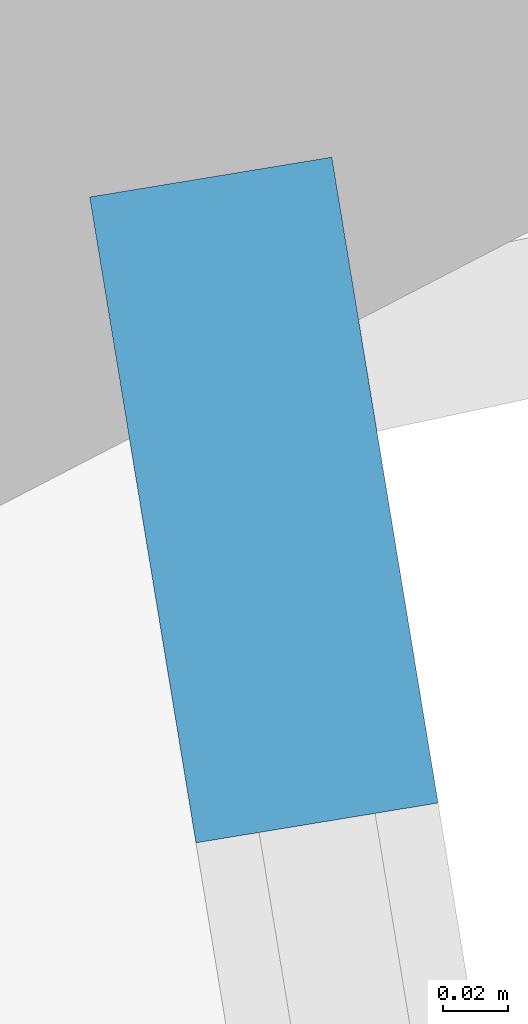
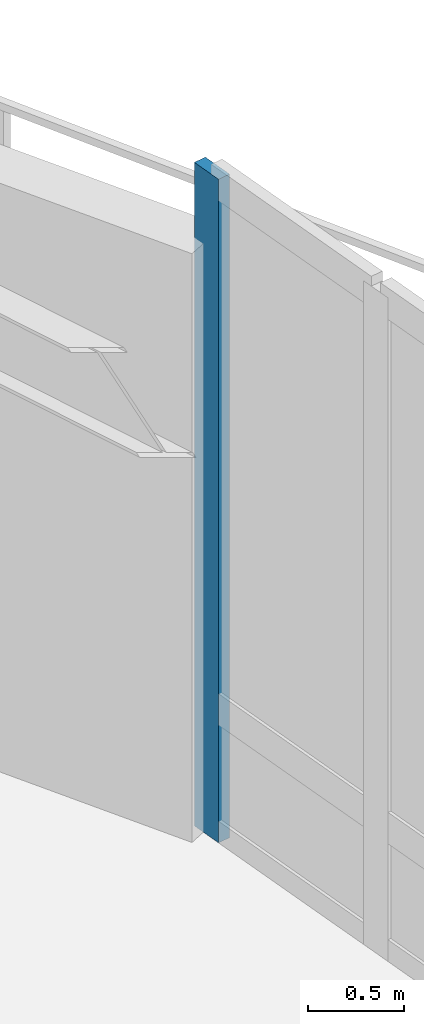
# One storey, part 5 of 16: 1 member, 1 element without a shape of its own.
"""IFC4 building model written with IfcOpenShell, lengths in metres."""

from ifc_helpers import new_model, si_unit, direction, frame, origin, origin_2d, place, context, subcontext, project, spatial, rectangle, extrude, material, layer, layer_set, material_profile, profile_set, type_object, element, aggregate, save


model = new_model("IFC4")

# Units and contexts
model_context = context("Model", 3, precision=1e-05, world=origin(), true_north=direction((0.0, 1.0)))
body_context = subcontext(model_context, "Body", "Model", "MODEL_VIEW")
ifc_project = project(units=[si_unit("LENGTHUNIT", "METRE"), si_unit("AREAUNIT", "SQUARE_METRE"), si_unit("VOLUMEUNIT", "CUBIC_METRE"), si_unit("PLANEANGLEUNIT", "RADIAN"), si_unit("MASSUNIT", "GRAM", prefix="KILO")], contexts=[model_context])

# Site, building, storey
site_placement = place(None, origin())
site = spatial("IfcSite", under=ifc_project, at=site_placement, CompositionType="ELEMENT")
building_placement = place(site_placement, origin())
building = spatial("IfcBuilding", under=site, at=building_placement, Name="Kolvaren Gate Tower and Convention Centre", CompositionType="ELEMENT")
storey_placement = place(building_placement, frame((0.0, 0.0, 100.800048828125)))
storey = spatial("IfcBuildingStorey", under=building, at=storey_placement, Name="L24", CompositionType="ELEMENT", Elevation=100.800048828125)

# Curtain wall, member
ifc_material = material(Name="Anodized Architectural Aluminium Alloy 6063-T6", Category="aluminium")
ifc_layer = layer(ifc_material, 0.199951171875)
ifc_layer_set = layer_set([ifc_layer], Name="Anodized Architectural Aluminium Alloy 6063-T6")
curtain_wall_type = type_object("IfcCurtainWallType", Name="CW-SKY-GLZ", PredefinedType="NOTDEFINED", material=ifc_layer_set)
curtain_wall_placement = place(storey_placement, origin())
curtain_wall = element("IfcCurtainWall", 1, at=curtain_wall_placement, inside=storey, type_object=curtain_wall_type, Name="L24 Panoramic Structural Curtain Wall CW-00", PredefinedType="NOTDEFINED")
ifc_material_profile = material_profile(ifc_material, rectangle(XDim=0.074951171875, YDim=0.199951171875, at=origin_2d()), Name="CW-MEM-MUL-200")
ifc_profile_set = profile_set([ifc_material_profile], Name="Anodized Architectural Aluminium Alloy 6063-T6")
member_type = type_object("IfcMemberType", Name="CW-MEM-MUL-200", PredefinedType="MULLION", material=ifc_profile_set)
member_placement = place(storey_placement, frame((53.494384765625, 31.97119140625, 0.0), z_axis=(0.0, 0.0, 1.0), x_axis=(0.986726492147, 0.162390977876, 0.0)))
member = element("IfcMember", 2, at=member_placement, type_object=member_type, Name="CW-05 mullion 1", PredefinedType="MULLION", context=body_context, shape_type="SweptSolid", body=[
    extrude(rectangle(XDim=0.074951171875, YDim=0.199951171875, at=origin_2d()), origin(), (0.0, 0.0, 1.0), 4.22998046875),
])
aggregate(curtain_wall, [member])

save(model, "model.ifc")
